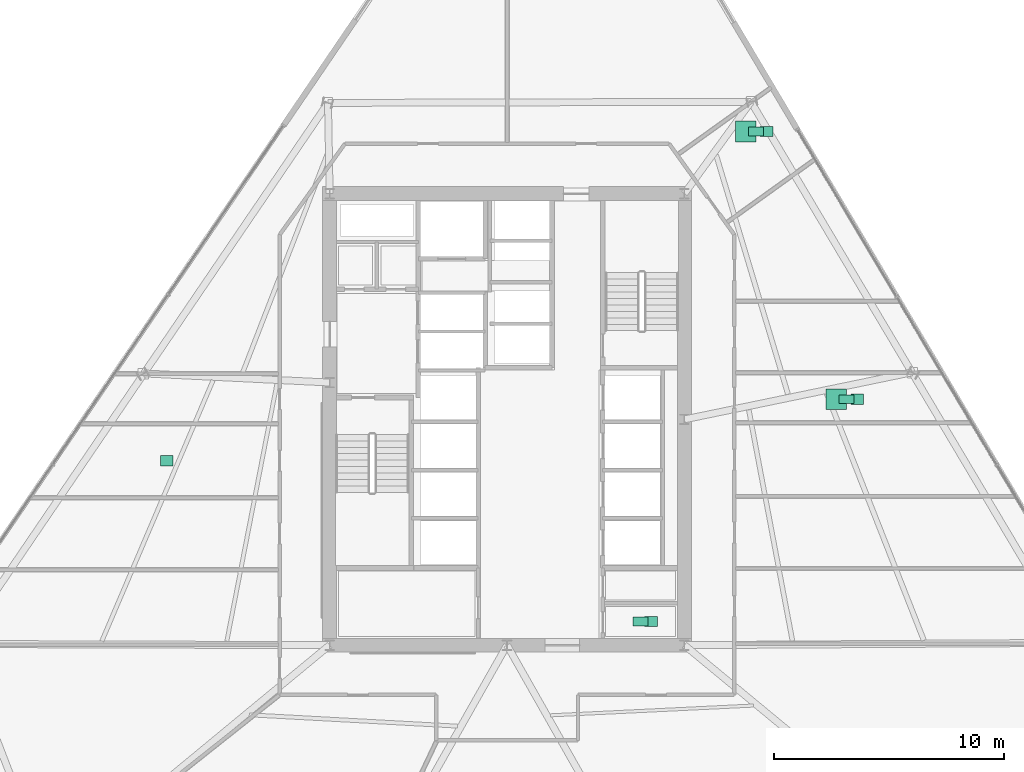
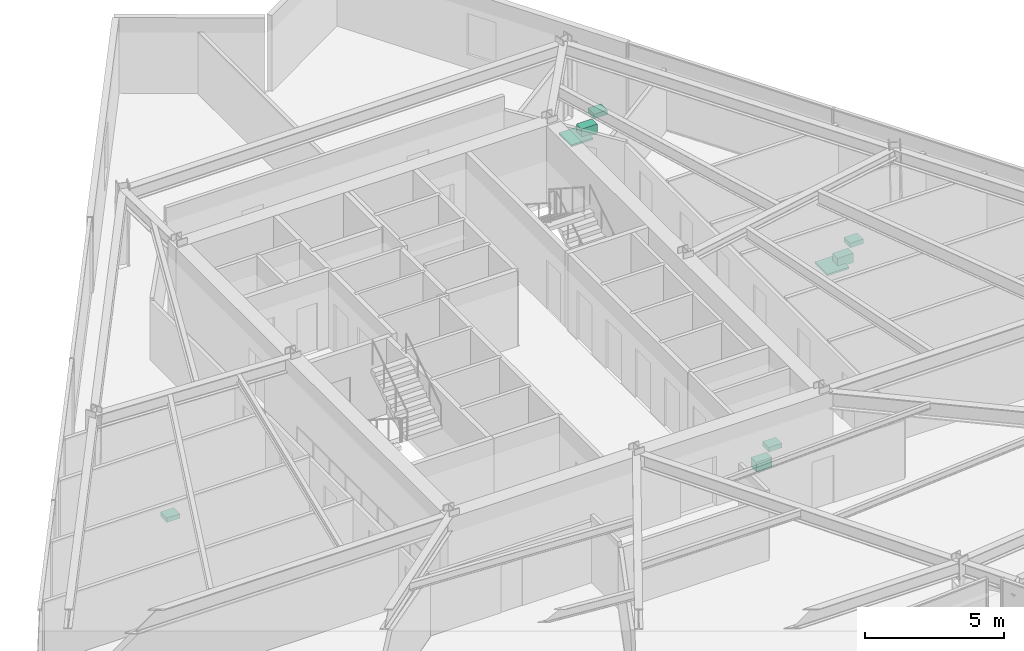
# One storey, part 18 of 18: 9 sanitary terminals.
"""IFC4 building model written with IfcOpenShell, lengths in metres."""

from ifc_helpers import new_model, si_unit, direction, frame, origin, origin_2d, place, context, subcontext, project, spatial, rectangle, extrude, material, type_object, element, save


model = new_model("IFC4")

# Units and contexts
model_context = context("Model", 3, precision=1e-05, world=origin(), true_north=direction((0.0, 1.0)))
body_context = subcontext(model_context, "Body", "Model", "MODEL_VIEW")
ifc_project = project(units=[si_unit("LENGTHUNIT", "METRE"), si_unit("AREAUNIT", "SQUARE_METRE"), si_unit("VOLUMEUNIT", "CUBIC_METRE"), si_unit("PLANEANGLEUNIT", "RADIAN"), si_unit("MASSUNIT", "GRAM", prefix="KILO")], contexts=[model_context])

# Site, building, storey
site_placement = place(None, origin())
site = spatial("IfcSite", under=ifc_project, at=site_placement, CompositionType="ELEMENT")
building_placement = place(site_placement, origin())
building = spatial("IfcBuilding", under=site, at=building_placement, Name="Savorim Split Tower", CompositionType="ELEMENT")
storey_placement = place(building_placement, frame((0.0, 0.0, 48.0)))
storey = spatial("IfcBuildingStorey", under=building, at=storey_placement, Name="L12", CompositionType="ELEMENT", Elevation=48.0)

# Sanitary terminals
ifc_material = material(Name="Vitreous China Sanitaryware")
sanitary_terminal_type_1 = type_object("IfcSanitaryTerminalType", Name="SAN-SHW-900", PredefinedType="SHOWER", material=ifc_material)
for number, where, z_axis, x_axis, name in (
    (1, (14.294677734375, 1.270263671875, 0.0), (0.0, 0.0, 1.0), (1.0, 0.0, 0.0), "L12 Shared Bathroom Shower"),
    (2, (10.362060546875, 12.897705078125, 0.0), (0.0, 0.0, 1.0), (1.0, 0.0, 0.0), "L12 Shared Bathroom Shower"),
):
    element("IfcSanitaryTerminal", number, at=place(storey_placement, frame(where, z_axis=z_axis, x_axis=x_axis)), inside=storey, type_object=sanitary_terminal_type_1, Name=name, PredefinedType="SHOWER", context=body_context, shape_type="SweptSolid", body=[
        extrude(rectangle(XDim=0.89990234375, YDim=0.89990234375, at=origin_2d()), origin(), (0.0, 0.0, 1.0), 0.080078125),
    ])
sanitary_terminal_type_2 = type_object("IfcSanitaryTerminalType", Name="SAN-WC-PAN", PredefinedType="TOILETPAN", material=ifc_material)
for number, where, z_axis, x_axis, name in (
    (3, (5.800048828125, -8.3701171875, 0.0), (0.0, 0.0, 1.0), (1.0, 0.0, 0.0), "L12 Accessible WC WC Pan"),
    (4, (14.74462890625, 1.270263671875, 0.0), (0.0, 0.0, 1.0), (1.0, 0.0, 0.0), "L12 Shared Bathroom WC Pan"),
    (5, (10.81201171875, 12.897705078125, 0.0), (0.0, 0.0, 1.0), (1.0, 0.0, 0.0), "L12 Shared Bathroom WC Pan"),
):
    element("IfcSanitaryTerminal", number, at=place(storey_placement, frame(where, z_axis=z_axis, x_axis=x_axis)), inside=storey, type_object=sanitary_terminal_type_2, Name=name, PredefinedType="TOILETPAN", context=body_context, shape_type="SweptSolid", body=[
        extrude(rectangle(XDim=0.64990234375, YDim=0.3798828125, at=origin_2d()), origin(), (0.0, 0.0, 1.0), 0.419921875),
    ])
sanitary_terminal_type_3 = type_object("IfcSanitaryTerminalType", Name="SAN-WHB-550", PredefinedType="WASHHANDBASIN", material=ifc_material)
for number, where, z_axis, x_axis, name in (
    (6, (6.25, -8.3701171875, 0.72021484375), (0.0, 0.0, 1.0), (1.0, 0.0, 0.0), "L12 Accessible WC Washhand Basin"),
    (7, (-14.76318359375, -1.394775390625, 0.75), (0.0, 0.0, 1.0), (1.0, 0.0, 0.0), "L12 Shared Kitchen Utility Sink"),
    (8, (15.194580078125, 1.270263671875, 0.72021484375), (0.0, 0.0, 1.0), (1.0, 0.0, 0.0), "L12 Shared Bathroom Washhand Basin"),
    (9, (11.26220703125, 12.897705078125, 0.72021484375), (0.0, 0.0, 1.0), (1.0, 0.0, 0.0), "L12 Shared Bathroom Washhand Basin"),
):
    element("IfcSanitaryTerminal", number, at=place(storey_placement, frame(where, z_axis=z_axis, x_axis=x_axis)), inside=storey, type_object=sanitary_terminal_type_3, Name=name, PredefinedType="WASHHANDBASIN", context=body_context, shape_type="SweptSolid", body=[
        extrude(rectangle(XDim=0.550048828125, YDim=0.449951171875, at=origin_2d()), origin(), (0.0, 0.0, 1.0), 0.199951171875),
    ])

save(model, "model.ifc")
